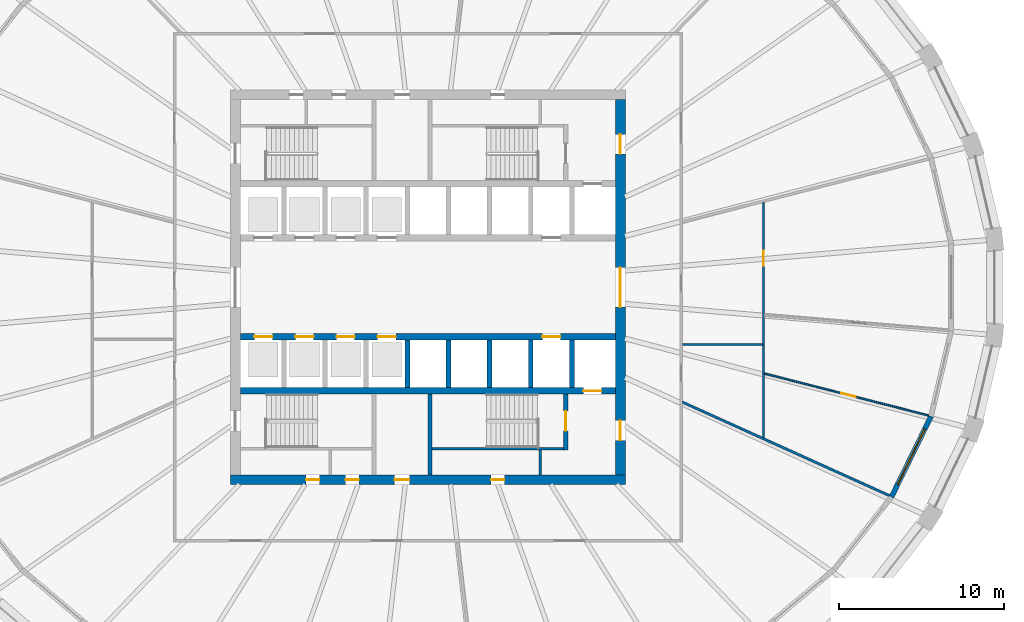
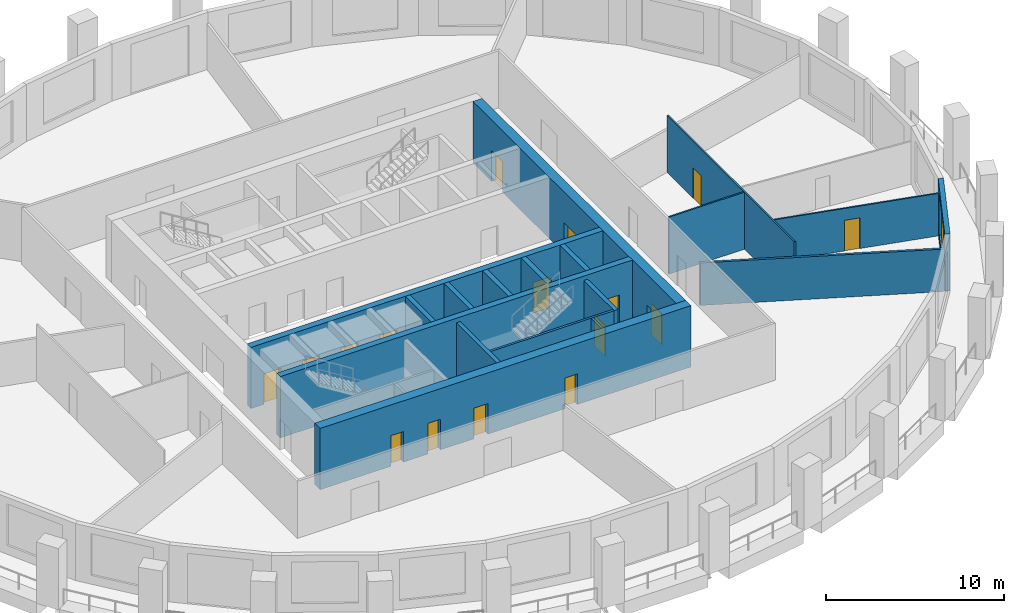
# One storey, part 4 of 10: 18 walls, 16 doors, 1 window, 17 openings.
"""IFC4 building model written with IfcOpenShell, lengths in metres."""

from ifc_helpers import new_model, si_unit, direction, frame, frame_2d, origin, place, context, subcontext, project, spatial, polyline, rectangle, outline, extrude, material, layer, layer_set, type_object, element, fill, save


model = new_model("IFC4")

# Units and contexts
model_context = context("Model", 3, precision=1e-05, world=origin(), true_north=direction((0.0, 1.0)))
body_context = subcontext(model_context, "Body", "Model", "MODEL_VIEW")
ifc_project = project(units=[si_unit("LENGTHUNIT", "METRE"), si_unit("AREAUNIT", "SQUARE_METRE"), si_unit("VOLUMEUNIT", "CUBIC_METRE"), si_unit("PLANEANGLEUNIT", "RADIAN"), si_unit("MASSUNIT", "GRAM", prefix="KILO")], contexts=[model_context])

# Site, building, storey
site_placement = place(None, origin())
site = spatial("IfcSite", under=ifc_project, at=site_placement, CompositionType="ELEMENT")
building_placement = place(site_placement, origin())
building = spatial("IfcBuilding", under=site, at=building_placement, Name="Halqa Exchange Tower", CompositionType="ELEMENT")
storey_placement = place(building_placement, frame((0.0, 0.0, 133.89990234375)))
storey = spatial("IfcBuildingStorey", under=building, at=storey_placement, Name="L30", CompositionType="ELEMENT", Elevation=133.89990234375)

# Walls
ifc_material_1 = material(Name="Fire-rated gypsum board")
ifc_layer_1 = layer(ifc_material_1, 0.14990234375)
ifc_layer_set_1 = layer_set([ifc_layer_1], Name="Fire-rated gypsum board")
wall_type_1 = type_object("IfcWallType", Name="Fire partition EI 60 150", PredefinedType="PARTITIONING", material=ifc_layer_set_1)
wall_1_placement = place(storey_placement, frame((15.444091796875, -6.969970703125, 0.0), z_axis=(0.0, 0.0, 1.0), x_axis=(0.911352660786, -0.411626441909, 0.0)))
element("IfcWall", 1, at=wall_1_placement, inside=storey, type_object=wall_type_1, Name="L30-PWL-014", PredefinedType="PARTITIONING", context=body_context, shape_type="SweptSolid", body=[
    extrude(outline(polyline([(0.06787109375, -0.074951171875), (2.03125, -0.074951171875), (3.994873046875, -0.074951171875), (5.958251953125, -0.074951171875), (7.921875, -0.074951171875), (9.885498046875, -0.074951171875), (11.848876953125, -0.074951171875), (13.8125, -0.074951171875), (13.83154296875, 0.0009765625), (13.833740234375, 0.073974609375), (13.833740234375, 0.074951171875), (12.137451171875, 0.074951171875), (10.44140625, 0.074951171875), (8.7451171875, 0.074951171875), (7.049072265625, 0.074951171875), (5.352783203125, 0.074951171875), (5.349853515625, 0.07373046875), (5.349365234375, 0.074951171875), (3.566162109375, 0.074951171875), (1.783203125, 0.074951171875), (0.0, 0.074951171875), (0.06787109375, -0.074951171875)])), origin(), (0.0, 0.0, 1.0), 2.91015625),
])
ifc_material_2 = material(Name="Gypsum board")
ifc_layer_2 = layer(ifc_material_2, 0.10009765625)
ifc_layer_set_2 = layer_set([ifc_layer_2], Name="Gypsum board")
wall_type_2 = type_object("IfcWallType", Name="Partition 100 gypsum", PredefinedType="PARTITIONING", material=ifc_layer_set_2)
wall_2_placement = place(storey_placement, frame((15.47509765625, -3.47998046875, 0.0), z_axis=(0.0, 0.0, 1.0), x_axis=(1.0, 0.0, 0.0)))
element("IfcWall", 2, at=wall_2_placement, inside=storey, type_object=wall_type_2, Name="L30-PWL-015", PredefinedType="PARTITIONING", context=body_context, shape_type="SweptSolid", body=[
    extrude(rectangle(XDim=4.875, YDim=0.10009765625, at=frame_2d((2.4375, 0.0))), origin(), (0.0, 0.0, 1.0), 3.900146484375),
])

# Wall, opening, door
wall_3_placement = place(storey_placement, frame((20.39990234375, -9.1484375, 0.0), z_axis=(0.0, 0.0, 1.0), x_axis=(0.0, 1.0, 0.0)))
wall_3 = element("IfcWall", 3, at=wall_3_placement, inside=storey, type_object=wall_type_2, Name="L30-PWL-018", PredefinedType="PARTITIONING", context=body_context, shape_type="SweptSolid", body=[
    extrude(outline(polyline([(0.0, -0.050048828125), (1.927001953125, -0.050048828125), (3.85400390625, -0.050048828125), (3.8544921875, -0.04833984375), (3.861328125, -0.050048828125), (5.603271484375, -0.050048828125), (7.344970703125, -0.050048828125), (9.086669921875, -0.050048828125), (10.828369140625, -0.050048828125), (12.5703125, -0.050048828125), (14.31201171875, -0.050048828125), (14.31201171875, -0.048828125), (14.286865234375, 0.050048828125), (12.572998046875, 0.050048828125), (10.859375, 0.050048828125), (9.145751953125, 0.050048828125), (7.43212890625, 0.050048828125), (5.718505859375, 0.050048828125), (5.718505859375, 0.0498046875), (5.618408203125, 0.0498046875), (5.618408203125, 0.050048828125), (3.7607421875, 0.050048828125), (1.90283203125, 0.050048828125), (0.044921875, 0.050048828125), (0.0, -0.049560546875), (0.0, -0.050048828125)])), origin(), (0.0, 0.0, 1.0), 3.900146484375),
])
opening_1_placement = place(wall_3_placement, frame((10.46337890625, 0.0, 0.0)))
opening_1 = element("IfcOpeningElement", 4, at=opening_1_placement, cuts=wall_3, Name="Opening 09-13", PredefinedType="OPENING", context=body_context, shape_type="SweptSolid", body=[
    extrude(rectangle(XDim=0.89990234375, YDim=2.10009765625, at=frame_2d((0.449951171875, 1.050048828125))), frame((0.0, 0.06201171875, 0.0), z_axis=(0.0, -1.0, 0.0), x_axis=(1.0, 0.0, 0.0)), (0.0, 0.0, 1.0), 0.1240234375),
])
ifc_material_3 = material(Name="Timber door leaf", Category="wood")
door_type_1 = type_object("IfcDoorType", Name="Door 900 x 2100", OperationType="SINGLE_SWING_LEFT", PredefinedType="DOOR", material=ifc_material_3)
door_1_placement = place(opening_1_placement, origin())
door_1 = element("IfcDoor", 5, at=door_1_placement, inside=storey, type_object=door_type_1, Name="L30-IDR-013", OperationType="SINGLE_SWING_LEFT", OverallHeight=2.10009765625, OverallWidth=0.89990234375, PredefinedType="DOOR", context=body_context, shape_type="SweptSolid", body=[
    extrude(rectangle(XDim=0.89990234375, YDim=2.10009765625, at=frame_2d((0.449951171875, 1.050048828125))), frame((0.0, 0.02490234375, 0.0), z_axis=(0.0, -1.0, 0.0), x_axis=(1.0, 0.0, 0.0)), (0.0, 0.0, 1.0), 0.050048828125),
])
fill(opening_1, door_1)

wall_4_placement = place(storey_placement, frame((20.437744140625, -5.23974609375, 0.0), z_axis=(0.0, 0.0, 1.0), x_axis=(0.968862785912, -0.247598267511, 0.0)))
wall_4 = element("IfcWall", 6, at=wall_4_placement, inside=storey, type_object=wall_type_2, Name="L30-PWL-019", PredefinedType="PARTITIONING", context=body_context, shape_type="SweptSolid", body=[
    extrude(outline(polyline([(0.025390625, -0.050048828125), (1.739501953125, -0.050048828125), (3.45361328125, -0.050048828125), (5.167724609375, -0.050048828125), (6.8818359375, -0.050048828125), (8.595947265625, -0.050048828125), (10.31005859375, -0.050048828125), (10.31884765625, -0.00830078125), (10.31884765625, 0.050048828125), (8.59912109375, 0.050048828125), (6.879150390625, 0.050048828125), (5.159423828125, 0.050048828125), (3.439697265625, 0.050048828125), (1.7197265625, 0.050048828125), (0.0, 0.050048828125), (0.0, 0.049560546875), (0.025390625, -0.050048828125)])), origin(), (0.0, 0.0, 1.0), 2.91015625),
])
opening_2_placement = place(wall_4_placement, frame((4.842041015625, 0.0, 0.0)))
opening_2 = element("IfcOpeningElement", 7, at=opening_2_placement, cuts=wall_4, Name="Opening 09-15", PredefinedType="OPENING", context=body_context, shape_type="SweptSolid", body=[
    extrude(rectangle(XDim=0.89990234375, YDim=2.10009765625, at=frame_2d((0.449951171875, 1.050048828125))), frame((0.0, 0.06201171875, 0.0), z_axis=(0.0, -1.0, 0.0), x_axis=(1.0, 0.0, 0.0)), (0.0, 0.0, 1.0), 0.1240234375),
])
door_2_placement = place(opening_2_placement, frame((0.89990234375, 0.0, 0.0), z_axis=(0.0, 0.0, 1.0), x_axis=(-1.0, 0.0, 0.0)))
door_2 = element("IfcDoor", 8, at=door_2_placement, inside=storey, type_object=door_type_1, Name="L30-IDR-015", OperationType="SINGLE_SWING_LEFT", OverallHeight=2.10009765625, OverallWidth=0.89990234375, PredefinedType="DOOR", context=body_context, shape_type="SweptSolid", body=[
    extrude(rectangle(XDim=0.89990234375, YDim=2.10009765625, at=frame_2d((0.449951171875, 1.050048828125))), frame((0.0, 0.02490234375, 0.0), z_axis=(0.0, -1.0, 0.0), x_axis=(1.0, 0.0, 0.0)), (0.0, 0.0, 1.0), 0.050048828125),
])
fill(opening_2, door_2)

# Walls
ifc_layer_3 = layer(ifc_material_2, 0.14990234375)
ifc_layer_set_3 = layer_set([ifc_layer_3], Name="Gypsum board")
wall_type_3 = type_object("IfcWallType", Name="Penthouse riser wall 150 gypsum", PredefinedType="PARTITIONING", material=ifc_layer_set_3)
wall_5_placement = place(storey_placement, frame((6.824951171875, -11.39990234375, 0.0), z_axis=(0.0, 0.0, 1.0), x_axis=(0.0, 1.0, 0.0)))
element("IfcWall", 9, at=wall_5_placement, inside=storey, type_object=wall_type_3, Name="Firefighting lobby west wall S", PredefinedType="PARTITIONING", context=body_context, shape_type="SweptSolid", body=[
    extrude(rectangle(XDim=1.5, YDim=0.14990234375, at=frame_2d((0.75, 0.0))), origin(), (0.0, 0.0, 1.0), 3.900146484375),
])
ifc_material_4 = material(Name="Concrete C60/75", Category="concrete")
ifc_layer_4 = layer(ifc_material_4, 0.300048828125)
ifc_layer_set_4 = layer_set([ifc_layer_4], Name="Concrete C60/75")
wall_type_4 = type_object("IfcWallType", Name="RC core wall 300", PredefinedType="SHEAR", material=ifc_layer_set_4)
for number, where, z_axis, x_axis, name in (
    (10, (-1.25, -6.10009765625, 0.0), (0.0, 0.0, 1.0), (0.0, 1.0, 0.0), "Shaft divider S4"),
    (11, (1.25, -6.10009765625, 0.0), (0.0, 0.0, 1.0), (0.0, 1.0, 0.0), "Shaft divider S5"),
    (12, (3.75, -6.10009765625, 0.0), (0.0, 0.0, 1.0), (0.0, 1.0, 0.0), "Shaft divider S6"),
    (13, (6.25, -6.10009765625, 0.0), (0.0, 0.0, 1.0), (0.0, 1.0, 0.0), "Shaft divider S7"),
    (14, (8.75, -6.10009765625, 0.0), (0.0, 0.0, 1.0), (0.0, 1.0, 0.0), "Shaft divider S8"),
):
    element("IfcWall", number, at=place(storey_placement, frame(where, z_axis=z_axis, x_axis=x_axis)), inside=storey, type_object=wall_type_4, Name=name, PredefinedType="SHEAR", context=body_context, shape_type="SweptSolid", body=[
        extrude(rectangle(XDim=2.900146484375, YDim=0.300048828125, at=frame_2d((1.4501953125, 0.0))), origin(), (0.0, 0.0, 1.0), 4.2001953125),
    ])

# Wall, openings, doors
ifc_material_5 = material(Name="Concrete C70/85", Category="concrete")
ifc_layer_5 = layer(ifc_material_5, 0.39990234375)
ifc_layer_set_5 = layer_set([ifc_layer_5], Name="Concrete C70/85")
wall_type_5 = type_object("IfcWallType", Name="RC core wall 400 C70/85", PredefinedType="SHEAR", material=ifc_layer_set_5)
wall_6_placement = place(storey_placement, frame((-11.39990234375, -3.0, 0.0), z_axis=(0.0, 0.0, 1.0), x_axis=(1.0, 0.0, 0.0)))
wall_6 = element("IfcWall", 15, at=wall_6_placement, inside=storey, type_object=wall_type_5, Name="Lift row front wall S", PredefinedType="SHEAR", context=body_context, shape_type="SweptSolid", body=[
    extrude(rectangle(XDim=22.7998046875, YDim=0.39990234375, at=frame_2d((11.39990234375, 0.0))), origin(), (0.0, 0.0, 1.0), 4.2001953125),
])
opening_3_placement = place(wall_6_placement, frame((0.85009765625, 0.0, 0.0)))
opening_3 = element("IfcOpeningElement", 16, at=opening_3_placement, cuts=wall_6, Name="Opening LD-LR5-T09", PredefinedType="OPENING", context=body_context, shape_type="SweptSolid", body=[
    extrude(rectangle(XDim=1.10009765625, YDim=2.10009765625, at=frame_2d((0.550048828125, 1.050048828125))), frame((0.0, 0.2119140625, 0.0), z_axis=(0.0, -1.0, 0.0), x_axis=(1.0, 0.0, 0.0)), (0.0, 0.0, 1.0), 0.423828125),
])
opening_4_placement = place(wall_6_placement, frame((3.35009765625, 0.0, 0.0)))
opening_4 = element("IfcOpeningElement", 17, at=opening_4_placement, cuts=wall_6, Name="Opening LD-LR6-T09", PredefinedType="OPENING", context=body_context, shape_type="SweptSolid", body=[
    extrude(rectangle(XDim=1.10009765625, YDim=2.10009765625, at=frame_2d((0.550048828125, 1.050048828125))), frame((0.0, 0.2119140625, 0.0), z_axis=(0.0, -1.0, 0.0), x_axis=(1.0, 0.0, 0.0)), (0.0, 0.0, 1.0), 0.423828125),
])
opening_5_placement = place(wall_6_placement, frame((5.85009765625, 0.0, 0.0)))
opening_5 = element("IfcOpeningElement", 18, at=opening_5_placement, cuts=wall_6, Name="Opening LD-LR7-T09", PredefinedType="OPENING", context=body_context, shape_type="SweptSolid", body=[
    extrude(rectangle(XDim=1.10009765625, YDim=2.10009765625, at=frame_2d((0.550048828125, 1.050048828125))), frame((0.0, 0.2119140625, 0.0), z_axis=(0.0, -1.0, 0.0), x_axis=(1.0, 0.0, 0.0)), (0.0, 0.0, 1.0), 0.423828125),
])
opening_6_placement = place(wall_6_placement, frame((8.35009765625, 0.0, 0.0)))
opening_6 = element("IfcOpeningElement", 19, at=opening_6_placement, cuts=wall_6, Name="Opening LD-LR8-T09", PredefinedType="OPENING", context=body_context, shape_type="SweptSolid", body=[
    extrude(rectangle(XDim=1.10009765625, YDim=2.10009765625, at=frame_2d((0.550048828125, 1.050048828125))), frame((0.0, 0.2119140625, 0.0), z_axis=(0.0, -1.0, 0.0), x_axis=(1.0, 0.0, 0.0)), (0.0, 0.0, 1.0), 0.423828125),
])
opening_7_placement = place(wall_6_placement, frame((18.35009765625, 0.0, 0.0)))
opening_7 = element("IfcOpeningElement", 20, at=opening_7_placement, cuts=wall_6, Name="Opening LD-SV2-T09", PredefinedType="OPENING", context=body_context, shape_type="SweptSolid", body=[
    extrude(rectangle(XDim=1.10009765625, YDim=2.10009765625, at=frame_2d((0.550048828125, 1.050048828125))), frame((0.0, 0.2119140625, 0.0), z_axis=(0.0, -1.0, 0.0), x_axis=(1.0, 0.0, 0.0)), (0.0, 0.0, 1.0), 0.423828125),
])
ifc_material_6 = material(Name="Stainless steel", Category="steel")
door_type_2 = type_object("IfcDoorType", Name="Lift landing door 1100 x 2100", OperationType="SLIDING_TO_LEFT", PredefinedType="DOOR", material=ifc_material_6)
door_3_placement = place(opening_3_placement, origin())
door_3 = element("IfcDoor", 21, at=door_3_placement, inside=storey, type_object=door_type_2, Name="Lift landing door LR5", OperationType="SLIDING_TO_LEFT", OverallHeight=2.10009765625, OverallWidth=1.10009765625, PredefinedType="DOOR", context=body_context, shape_type="SweptSolid", body=[
    extrude(rectangle(XDim=1.10009765625, YDim=2.10009765625, at=frame_2d((0.550048828125, 1.050048828125))), frame((0.0, 0.02490234375, 0.0), z_axis=(0.0, -1.0, 0.0), x_axis=(1.0, 0.0, 0.0)), (0.0, 0.0, 1.0), 0.050048828125),
])
fill(opening_3, door_3)
door_4_placement = place(opening_4_placement, origin())
door_4 = element("IfcDoor", 22, at=door_4_placement, inside=storey, type_object=door_type_2, Name="Lift landing door LR6", OperationType="SLIDING_TO_LEFT", OverallHeight=2.10009765625, OverallWidth=1.10009765625, PredefinedType="DOOR", context=body_context, shape_type="SweptSolid", body=[
    extrude(rectangle(XDim=1.10009765625, YDim=2.10009765625, at=frame_2d((0.550048828125, 1.050048828125))), frame((0.0, 0.02490234375, 0.0), z_axis=(0.0, -1.0, 0.0), x_axis=(1.0, 0.0, 0.0)), (0.0, 0.0, 1.0), 0.050048828125),
])
fill(opening_4, door_4)
door_5_placement = place(opening_5_placement, origin())
door_5 = element("IfcDoor", 23, at=door_5_placement, inside=storey, type_object=door_type_2, Name="Lift landing door LR7", OperationType="SLIDING_TO_LEFT", OverallHeight=2.10009765625, OverallWidth=1.10009765625, PredefinedType="DOOR", context=body_context, shape_type="SweptSolid", body=[
    extrude(rectangle(XDim=1.10009765625, YDim=2.10009765625, at=frame_2d((0.550048828125, 1.050048828125))), frame((0.0, 0.02490234375, 0.0), z_axis=(0.0, -1.0, 0.0), x_axis=(1.0, 0.0, 0.0)), (0.0, 0.0, 1.0), 0.050048828125),
])
fill(opening_5, door_5)
door_6_placement = place(opening_6_placement, origin())
door_6 = element("IfcDoor", 24, at=door_6_placement, inside=storey, type_object=door_type_2, Name="Lift landing door LR8", OperationType="SLIDING_TO_LEFT", OverallHeight=2.10009765625, OverallWidth=1.10009765625, PredefinedType="DOOR", context=body_context, shape_type="SweptSolid", body=[
    extrude(rectangle(XDim=1.10009765625, YDim=2.10009765625, at=frame_2d((0.550048828125, 1.050048828125))), frame((0.0, 0.02490234375, 0.0), z_axis=(0.0, -1.0, 0.0), x_axis=(1.0, 0.0, 0.0)), (0.0, 0.0, 1.0), 0.050048828125),
])
fill(opening_6, door_6)
door_7_placement = place(opening_7_placement, origin())
door_7 = element("IfcDoor", 25, at=door_7_placement, inside=storey, type_object=door_type_2, Name="Lift landing door SV2", OperationType="SLIDING_TO_LEFT", OverallHeight=2.10009765625, OverallWidth=1.10009765625, PredefinedType="DOOR", context=body_context, shape_type="SweptSolid", body=[
    extrude(rectangle(XDim=1.10009765625, YDim=2.10009765625, at=frame_2d((0.550048828125, 1.050048828125))), frame((0.0, 0.02490234375, 0.0), z_axis=(0.0, -1.0, 0.0), x_axis=(1.0, 0.0, 0.0)), (0.0, 0.0, 1.0), 0.050048828125),
])
fill(opening_7, door_7)

# Wall, opening, door
wall_7_placement = place(storey_placement, frame((-11.39990234375, -6.300048828125, 0.0), z_axis=(0.0, 0.0, 1.0), x_axis=(1.0, 0.0, 0.0)))
wall_7 = element("IfcWall", 26, at=wall_7_placement, inside=storey, type_object=wall_type_5, Name="Lift row back wall S", PredefinedType="SHEAR", context=body_context, shape_type="SweptSolid", body=[
    extrude(rectangle(XDim=22.7998046875, YDim=0.39990234375, at=frame_2d((11.39990234375, 0.0))), origin(), (0.0, 0.0, 1.0), 4.2001953125),
])
opening_8_placement = place(wall_7_placement, frame((20.85009765625, 0.0, 0.0)))
opening_8 = element("IfcOpeningElement", 27, at=opening_8_placement, cuts=wall_7, Name="Opening LD-FF2-T09", PredefinedType="OPENING", context=body_context, shape_type="SweptSolid", body=[
    extrude(rectangle(XDim=1.10009765625, YDim=2.10009765625, at=frame_2d((0.550048828125, 1.050048828125))), frame((0.0, 0.2119140625, 0.0), z_axis=(0.0, -1.0, 0.0), x_axis=(1.0, 0.0, 0.0)), (0.0, 0.0, 1.0), 0.423828125),
])
door_8_placement = place(opening_8_placement, origin())
door_8 = element("IfcDoor", 28, at=door_8_placement, inside=storey, type_object=door_type_2, Name="Lift landing door FF2", OperationType="SLIDING_TO_LEFT", OverallHeight=2.10009765625, OverallWidth=1.10009765625, PredefinedType="DOOR", context=body_context, shape_type="SweptSolid", body=[
    extrude(rectangle(XDim=1.10009765625, YDim=2.10009765625, at=frame_2d((0.550048828125, 1.050048828125))), frame((0.0, 0.02490234375, 0.0), z_axis=(0.0, -1.0, 0.0), x_axis=(1.0, 0.0, 0.0)), (0.0, 0.0, 1.0), 0.050048828125),
])
fill(opening_8, door_8)

# Wall, openings, doors
ifc_layer_6 = layer(ifc_material_5, 0.60009765625)
ifc_layer_set_6 = layer_set([ifc_layer_6], Name="Concrete C70/85")
wall_type_6 = type_object("IfcWallType", Name="RC core wall 600 C70/85", PredefinedType="SHEAR", material=ifc_layer_set_6)
wall_8_placement = place(storey_placement, frame((-12.0, -11.699951171875, 0.0), z_axis=(0.0, 0.0, 1.0), x_axis=(1.0, 0.0, 0.0)))
wall_8 = element("IfcWall", 29, at=wall_8_placement, inside=storey, type_object=wall_type_6, Name="Core wall south", PredefinedType="SHEAR", context=body_context, shape_type="SweptSolid", body=[
    extrude(rectangle(XDim=24.0, YDim=0.60009765625, at=frame_2d((12.0, 0.0))), origin(), (0.0, 0.0, 1.0), 4.2001953125),
])
opening_9_placement = place(wall_8_placement, frame((9.97509765625, 0.0, 0.0)))
opening_9 = element("IfcOpeningElement", 30, at=opening_9_placement, cuts=wall_8, Name="Opening T09-C25", PredefinedType="OPENING", context=body_context, shape_type="SweptSolid", body=[
    extrude(rectangle(XDim=0.89990234375, YDim=2.10009765625, at=frame_2d((0.449951171875, 1.050048828125))), frame((0.0, 0.31201171875, 0.0), z_axis=(0.0, -1.0, 0.0), x_axis=(1.0, 0.0, 0.0)), (0.0, 0.0, 1.0), 0.6240234375),
])
opening_10_placement = place(wall_8_placement, frame((4.60009765625, 0.0, 0.0)))
opening_10 = element("IfcOpeningElement", 31, at=opening_10_placement, cuts=wall_8, Name="Opening T09-C26", PredefinedType="OPENING", context=body_context, shape_type="SweptSolid", body=[
    extrude(rectangle(XDim=0.800048828125, YDim=2.10009765625, at=frame_2d((0.39990234375, 1.050048828125))), frame((0.0, 0.31201171875, 0.0), z_axis=(0.0, -1.0, 0.0), x_axis=(1.0, 0.0, 0.0)), (0.0, 0.0, 1.0), 0.6240234375),
])
opening_11_placement = place(wall_8_placement, frame((7.0, 0.0, 0.0)))
opening_11 = element("IfcOpeningElement", 32, at=opening_11_placement, cuts=wall_8, Name="Opening T09-C27", PredefinedType="OPENING", context=body_context, shape_type="SweptSolid", body=[
    extrude(rectangle(XDim=0.800048828125, YDim=2.10009765625, at=frame_2d((0.39990234375, 1.050048828125))), frame((0.0, 0.31201171875, 0.0), z_axis=(0.0, -1.0, 0.0), x_axis=(1.0, 0.0, 0.0)), (0.0, 0.0, 1.0), 0.6240234375),
])
opening_12_placement = place(wall_8_placement, frame((15.85009765625, 0.0, 0.0)))
opening_12 = element("IfcOpeningElement", 33, at=opening_12_placement, cuts=wall_8, Name="Opening T09-C28", PredefinedType="OPENING", context=body_context, shape_type="SweptSolid", body=[
    extrude(rectangle(XDim=0.800048828125, YDim=2.10009765625, at=frame_2d((0.39990234375, 1.050048828125))), frame((0.0, 0.31201171875, 0.0), z_axis=(0.0, -1.0, 0.0), x_axis=(1.0, 0.0, 0.0)), (0.0, 0.0, 1.0), 0.6240234375),
])
ifc_material_7 = material(Name="Timber fire door leaf", Category="wood")
door_type_3 = type_object("IfcDoorType", Name="Core room door FD30 900 x 2100", OperationType="SINGLE_SWING_LEFT", PredefinedType="DOOR", material=ifc_material_7)
door_9_placement = place(opening_9_placement, origin())
door_9 = element("IfcDoor", 34, at=door_9_placement, inside=storey, type_object=door_type_3, Name="Core room door", OperationType="SINGLE_SWING_RIGHT", OverallHeight=2.10009765625, OverallWidth=0.89990234375, PredefinedType="DOOR", context=body_context, shape_type="SweptSolid", body=[
    extrude(rectangle(XDim=0.89990234375, YDim=2.10009765625, at=frame_2d((0.449951171875, 1.050048828125))), frame((0.0, 0.02490234375, 0.0), z_axis=(0.0, -1.0, 0.0), x_axis=(1.0, 0.0, 0.0)), (0.0, 0.0, 1.0), 0.050048828125),
])
fill(opening_9, door_9)
ifc_material_8 = material(Name="Steel fire door leaf", Category="steel")
door_type_4 = type_object("IfcDoorType", Name="Riser door FD60 800 x 2100", OperationType="SINGLE_SWING_LEFT", PredefinedType="DOOR", material=ifc_material_8)
door_10_placement = place(opening_10_placement, origin())
door_10 = element("IfcDoor", 35, at=door_10_placement, inside=storey, type_object=door_type_4, Name="Core room door", OperationType="SINGLE_SWING_LEFT", OverallHeight=2.10009765625, OverallWidth=0.800048828125, PredefinedType="DOOR", context=body_context, shape_type="SweptSolid", body=[
    extrude(rectangle(XDim=0.800048828125, YDim=2.10009765625, at=frame_2d((0.39990234375, 1.050048828125))), frame((0.0, 0.02490234375, 0.0), z_axis=(0.0, -1.0, 0.0), x_axis=(1.0, 0.0, 0.0)), (0.0, 0.0, 1.0), 0.050048828125),
])
fill(opening_10, door_10)
door_11_placement = place(opening_11_placement, origin())
door_11 = element("IfcDoor", 36, at=door_11_placement, inside=storey, type_object=door_type_4, Name="Core room door", OperationType="SINGLE_SWING_RIGHT", OverallHeight=2.10009765625, OverallWidth=0.800048828125, PredefinedType="DOOR", context=body_context, shape_type="SweptSolid", body=[
    extrude(rectangle(XDim=0.800048828125, YDim=2.10009765625, at=frame_2d((0.39990234375, 1.050048828125))), frame((0.0, 0.02490234375, 0.0), z_axis=(0.0, -1.0, 0.0), x_axis=(1.0, 0.0, 0.0)), (0.0, 0.0, 1.0), 0.050048828125),
])
fill(opening_11, door_11)
door_12_placement = place(opening_12_placement, origin())
door_12 = element("IfcDoor", 37, at=door_12_placement, inside=storey, type_object=door_type_4, Name="Core room door", OperationType="SINGLE_SWING_LEFT", OverallHeight=2.10009765625, OverallWidth=0.800048828125, PredefinedType="DOOR", context=body_context, shape_type="SweptSolid", body=[
    extrude(rectangle(XDim=0.800048828125, YDim=2.10009765625, at=frame_2d((0.39990234375, 1.050048828125))), frame((0.0, 0.02490234375, 0.0), z_axis=(0.0, -1.0, 0.0), x_axis=(1.0, 0.0, 0.0)), (0.0, 0.0, 1.0), 0.050048828125),
])
fill(opening_12, door_12)

wall_9_placement = place(storey_placement, frame((11.699951171875, -11.39990234375, 0.0), z_axis=(0.0, 0.0, 1.0), x_axis=(0.0, 1.0, 0.0)))
wall_9 = element("IfcWall", 38, at=wall_9_placement, inside=storey, type_object=wall_type_6, Name="Core wall east", PredefinedType="SHEAR", context=body_context, shape_type="SweptSolid", body=[
    extrude(rectangle(XDim=22.7998046875, YDim=0.60009765625, at=frame_2d((11.39990234375, 0.0))), origin(), (0.0, 0.0, 1.0), 4.2001953125),
])
opening_13_placement = place(wall_9_placement, frame((10.199951171875, 0.0, 0.0)))
opening_13 = element("IfcOpeningElement", 39, at=opening_13_placement, cuts=wall_9, Name="Opening T09-C14", PredefinedType="OPENING", context=body_context, shape_type="SweptSolid", body=[
    extrude(rectangle(XDim=2.39990234375, YDim=2.10009765625, at=frame_2d((1.199951171875, 1.050048828125))), frame((0.0, 0.31201171875, 0.0), z_axis=(0.0, -1.0, 0.0), x_axis=(1.0, 0.0, 0.0)), (0.0, 0.0, 1.0), 0.6240234375),
])
opening_14_placement = place(wall_9_placement, frame((19.5, 0.0, 0.0)))
opening_14 = element("IfcOpeningElement", 40, at=opening_14_placement, cuts=wall_9, Name="Opening T09-C19", PredefinedType="OPENING", context=body_context, shape_type="SweptSolid", body=[
    extrude(rectangle(XDim=1.199951171875, YDim=2.10009765625, at=frame_2d((0.60009765625, 1.050048828125))), frame((0.0, 0.31201171875, 0.0), z_axis=(0.0, -1.0, 0.0), x_axis=(1.0, 0.0, 0.0)), (0.0, 0.0, 1.0), 0.6240234375),
])
opening_15_placement = place(wall_9_placement, frame((2.10009765625, 0.0, 0.0)))
opening_15 = element("IfcOpeningElement", 41, at=opening_15_placement, cuts=wall_9, Name="Opening T09-C20", PredefinedType="OPENING", context=body_context, shape_type="SweptSolid", body=[
    extrude(rectangle(XDim=1.199951171875, YDim=2.10009765625, at=frame_2d((0.60009765625, 1.050048828125))), frame((0.0, 0.31201171875, 0.0), z_axis=(0.0, -1.0, 0.0), x_axis=(1.0, 0.0, 0.0)), (0.0, 0.0, 1.0), 0.6240234375),
])
door_type_5 = type_object("IfcDoorType", Name="Firefighting lobby door FD90 1200 x 2100", OperationType="SINGLE_SWING_RIGHT", PredefinedType="DOOR", material=ifc_material_8)
door_13_placement = place(opening_14_placement, origin())
door_13 = element("IfcDoor", 42, at=door_13_placement, inside=storey, type_object=door_type_5, Name="Firefighting lobby door", OperationType="SINGLE_SWING_RIGHT", OverallHeight=2.10009765625, OverallWidth=1.199951171875, PredefinedType="DOOR", context=body_context, shape_type="SweptSolid", body=[
    extrude(rectangle(XDim=1.199951171875, YDim=2.10009765625, at=frame_2d((0.60009765625, 1.050048828125))), frame((0.0, 0.02490234375, 0.0), z_axis=(0.0, -1.0, 0.0), x_axis=(1.0, 0.0, 0.0)), (0.0, 0.0, 1.0), 0.050048828125),
])
fill(opening_14, door_13)
door_14_placement = place(opening_15_placement, origin())
door_14 = element("IfcDoor", 43, at=door_14_placement, inside=storey, type_object=door_type_5, Name="Firefighting lobby door", OperationType="SINGLE_SWING_LEFT", OverallHeight=2.10009765625, OverallWidth=1.199951171875, PredefinedType="DOOR", context=body_context, shape_type="SweptSolid", body=[
    extrude(rectangle(XDim=1.199951171875, YDim=2.10009765625, at=frame_2d((0.60009765625, 1.050048828125))), frame((0.0, 0.02490234375, 0.0), z_axis=(0.0, -1.0, 0.0), x_axis=(1.0, 0.0, 0.0)), (0.0, 0.0, 1.0), 0.050048828125),
])
fill(opening_15, door_14)
door_type_6 = type_object("IfcDoorType", Name="Lobby double door FD60 2400 x 2100", OperationType="DOUBLE_DOOR_SINGLE_SWING", PredefinedType="DOOR", material=ifc_material_8)
door_15_placement = place(opening_13_placement, origin())
door_15 = element("IfcDoor", 44, at=door_15_placement, inside=storey, type_object=door_type_6, Name="Lift lobby double door", OperationType="DOUBLE_DOOR_SINGLE_SWING", OverallHeight=2.10009765625, OverallWidth=2.39990234375, PredefinedType="DOOR", context=body_context, shape_type="SweptSolid", body=[
    extrude(rectangle(XDim=2.39990234375, YDim=2.10009765625, at=frame_2d((1.199951171875, 1.050048828125))), frame((0.0, 0.02490234375, 0.0), z_axis=(0.0, -1.0, 0.0), x_axis=(1.0, 0.0, 0.0)), (0.0, 0.0, 1.0), 0.050048828125),
])
fill(opening_13, door_15)

# Walls
ifc_material_9 = material(Name="Concrete C30/37", Category="concrete")
ifc_layer_7 = layer(ifc_material_9, 0.14990234375)
ifc_layer_set_7 = layer_set([ifc_layer_7], Name="Concrete C30/37")
wall_type_7 = type_object("IfcWallType", Name="RC stair wall 150 C30/37", PredefinedType="SHEAR", material=ifc_layer_set_7)
wall_10_placement = place(storey_placement, frame((0.25, -9.824951171875, 0.0), z_axis=(0.0, 0.0, 1.0), x_axis=(1.0, 0.0, 0.0)))
element("IfcWall", 45, at=wall_10_placement, inside=storey, type_object=wall_type_7, Name="Stair ST2 north wall S", PredefinedType="SHEAR", context=body_context, shape_type="SweptSolid", body=[
    extrude(rectangle(XDim=8.0, YDim=0.14990234375, at=frame_2d((4.0, 0.0))), origin(), (0.0, 0.0, 1.0), 3.900146484375),
])
ifc_layer_8 = layer(ifc_material_9, 0.25)
ifc_layer_set_8 = layer_set([ifc_layer_8], Name="Concrete C30/37")
wall_type_8 = type_object("IfcWallType", Name="RC stair wall 250 C30/37", PredefinedType="SHEAR", material=ifc_layer_set_8)
wall_11_placement = place(storey_placement, frame((0.125, -11.39990234375, 0.0), z_axis=(0.0, 0.0, 1.0), x_axis=(0.0, 1.0, 0.0)))
element("IfcWall", 46, at=wall_11_placement, inside=storey, type_object=wall_type_8, Name="Stair ST2 west wall S", PredefinedType="SHEAR", context=body_context, shape_type="SweptSolid", body=[
    extrude(rectangle(XDim=4.89990234375, YDim=0.25, at=frame_2d((2.449951171875, 0.0))), origin(), (0.0, 0.0, 1.0), 3.900146484375),
])

# Wall, opening, door
wall_12_placement = place(storey_placement, frame((8.375, -9.89990234375, 0.0), z_axis=(0.0, 0.0, 1.0), x_axis=(0.0, 1.0, 0.0)))
wall_12 = element("IfcWall", 47, at=wall_12_placement, inside=storey, type_object=wall_type_8, Name="Stair ST2 east wall S", PredefinedType="SHEAR", context=body_context, shape_type="SweptSolid", body=[
    extrude(rectangle(XDim=3.39990234375, YDim=0.25, at=frame_2d((1.699951171875, 0.0))), origin(), (0.0, 0.0, 1.0), 3.900146484375),
])
opening_16_placement = place(wall_12_placement, frame((1.175048828125, 0.0, 0.0)))
opening_16 = element("IfcOpeningElement", 48, at=opening_16_placement, cuts=wall_12, Name="Opening T09-C18", PredefinedType="OPENING", context=body_context, shape_type="SweptSolid", body=[
    extrude(rectangle(XDim=1.199951171875, YDim=2.10009765625, at=frame_2d((0.60009765625, 1.050048828125))), frame((0.0, 0.136962890625, 0.0), z_axis=(0.0, -1.0, 0.0), x_axis=(1.0, 0.0, 0.0)), (0.0, 0.0, 1.0), 0.27392578125),
])
door_type_7 = type_object("IfcDoorType", Name="Stair door FD90 1200 x 2100", OperationType="SINGLE_SWING_LEFT", PredefinedType="DOOR", material=ifc_material_8)
door_16_placement = place(opening_16_placement, origin())
door_16 = element("IfcDoor", 49, at=door_16_placement, inside=storey, type_object=door_type_7, Name="Stair door ST4", OperationType="SINGLE_SWING_RIGHT", OverallHeight=2.10009765625, OverallWidth=1.199951171875, PredefinedType="DOOR", context=body_context, shape_type="SweptSolid", body=[
    extrude(rectangle(XDim=1.199951171875, YDim=2.10009765625, at=frame_2d((0.60009765625, 1.050048828125))), frame((0.0, 0.02490234375, 0.0), z_axis=(0.0, -1.0, 0.0), x_axis=(1.0, 0.0, 0.0)), (0.0, 0.0, 1.0), 0.050048828125),
])
fill(opening_16, door_16)

# Wall, opening, window
ifc_material_10 = material(Name="Limestone cladding", Category="masonry")
ifc_layer_9 = layer(ifc_material_10, 0.0400390625)
ifc_material_11 = material(Name="Ventilated cavity")
ifc_layer_10 = layer(ifc_material_11, 0.030029296875, ventilated=True)
ifc_material_12 = material(Name="Mineral wool insulation")
ifc_layer_11 = layer(ifc_material_12, 0.10009765625)
ifc_layer_12 = layer(ifc_material_9, 0.10009765625)
ifc_material_13 = material(Name="Internal plaster")
ifc_layer_13 = layer(ifc_material_13, 0.030029296875)
ifc_layer_set_9 = layer_set([ifc_layer_9, ifc_layer_10, ifc_layer_11, ifc_layer_12, ifc_layer_13], Name="Stone-faced insulated wall 300")
wall_type_9 = type_object("IfcWallType", Name="Stone-faced insulated wall 300", PredefinedType="STANDARD", material=ifc_layer_set_9)
wall_13_placement = place(storey_placement, frame((28.177490234375, -12.742919921875, 0.0), z_axis=(0.0, 0.0, 1.0), x_axis=(0.440321465864, 0.897840189956, 0.0)))
wall_13 = element("IfcWall", 50, at=wall_13_placement, inside=storey, type_object=wall_type_9, Name="Glass-line wall 30", PredefinedType="STANDARD", context=body_context, shape_type="SweptSolid", body=[
    extrude(outline(polyline([(-0.01611328125, -0.14990234375), (5.46826171875, -0.14990234375), (5.4345703125, 0.14990234375), (0.01611328125, 0.14990234375), (-0.01611328125, -0.14990234375)])), origin(), (0.0, 0.0, 1.0), 3.900146484375),
])
opening_17_placement = place(wall_13_placement, frame((0.850830078125, 0.0, 0.60009765625)))
opening_17 = element("IfcOpeningElement", 51, at=opening_17_placement, cuts=wall_13, Name="Opening W-F2-30", PredefinedType="OPENING", context=body_context, shape_type="SweptSolid", body=[
    extrude(rectangle(XDim=3.75, YDim=2.85009765625, at=frame_2d((1.875, 1.425048828125))), frame((0.0, 0.162109375, 0.0), z_axis=(0.0, -1.0, 0.0), x_axis=(1.0, 0.0, 0.0)), (0.0, 0.0, 1.0), 0.323974609375),
])
ifc_material_14 = material(Name="Clear low-emissivity glass in aluminium frame", Category="aluminium")
window_type = type_object("IfcWindowType", Name="Fixed clear glazed window 3750 x 2850", PartitioningType="TRIPLE_PANEL_VERTICAL", PredefinedType="WINDOW", material=ifc_material_14)
window_placement = place(opening_17_placement, origin())
window = element("IfcWindow", 52, at=window_placement, inside=storey, type_object=window_type, Name="Window 2", OverallHeight=2.85009765625, OverallWidth=3.75, PartitioningType="TRIPLE_PANEL_VERTICAL", PredefinedType="WINDOW", context=body_context, shape_type="SweptSolid", body=[
    extrude(rectangle(XDim=3.75, YDim=2.85009765625, at=frame_2d((1.875, 1.425048828125))), frame((0.0, 0.030029296875, 0.0), z_axis=(0.0, -1.0, 0.0), x_axis=(1.0, 0.0, 0.0)), (0.0, 0.0, 1.0), 0.06005859375),
])
fill(opening_17, window)

save(model, "model.ifc")
